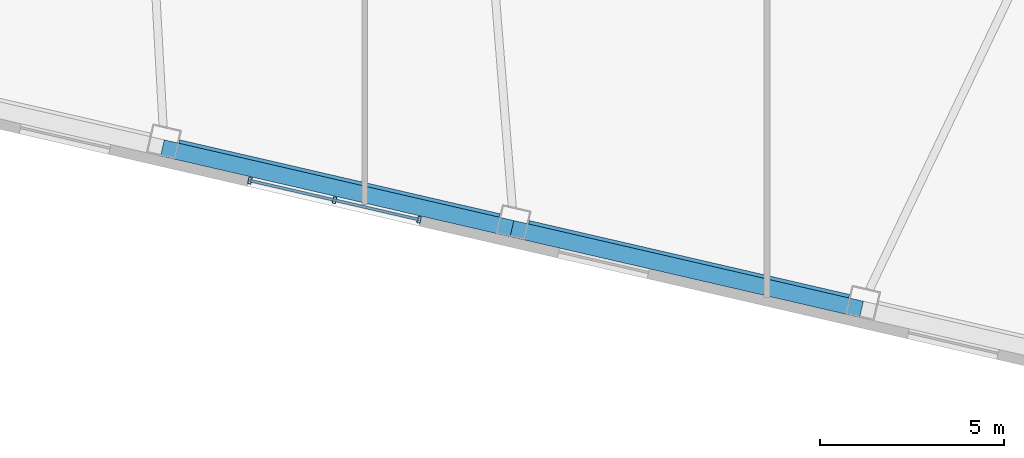
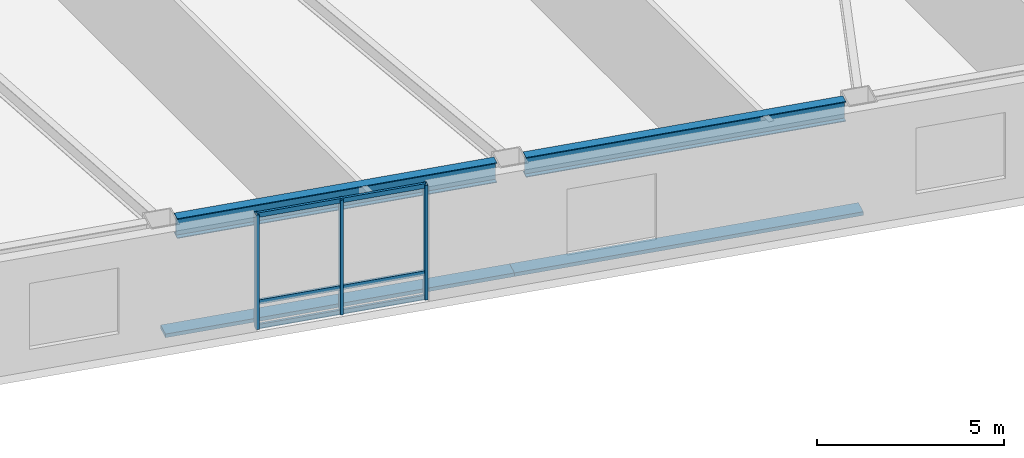
# One storey, part 3 of 18: 8 members, 2 beams, 1 element without a shape of its own.
"""IFC4 building model written with IfcOpenShell, lengths in metres."""

from ifc_helpers import new_model, si_unit, direction, frame, origin, origin_2d, place, context, subcontext, project, spatial, rectangle, hollow_rectangle, i_section, extrude, material, layer, layer_set, material_profile, profile_set, type_object, element, aggregate, save


model = new_model("IFC4")

# Units and contexts
model_context = context("Model", 3, precision=1e-05, world=origin(), true_north=direction((0.0, 1.0)))
body_context = subcontext(model_context, "Body", "Model", "MODEL_VIEW")
ifc_project = project(units=[si_unit("LENGTHUNIT", "METRE"), si_unit("AREAUNIT", "SQUARE_METRE"), si_unit("VOLUMEUNIT", "CUBIC_METRE"), si_unit("PLANEANGLEUNIT", "RADIAN"), si_unit("MASSUNIT", "GRAM", prefix="KILO")], contexts=[model_context])

# Site, building, storey
site_placement = place(None, origin())
site = spatial("IfcSite", under=ifc_project, at=site_placement, CompositionType="ELEMENT")
building_placement = place(site_placement, origin())
building = spatial("IfcBuilding", under=site, at=building_placement, Name="Tavrogorsk Clinical Tower", CompositionType="ELEMENT")
storey_placement = place(building_placement, frame((0.0, 0.0, 47.39990234375)))
storey = spatial("IfcBuildingStorey", under=building, at=storey_placement, Name="L09", CompositionType="ELEMENT", Elevation=47.39990234375)

# Members
ifc_material_1 = material(Name="Anodised aluminium alloy AW-6063", Category="aluminium")
ifc_material_profile_1 = material_profile(ifc_material_1, rectangle(XDim=0.449951171875, YDim=0.1201171875, at=origin_2d()), Name="ALU-SUNSHADE-450x120")
ifc_profile_set_1 = profile_set([ifc_material_profile_1], Name="Anodised aluminium alloy AW-6063")
member_type_1 = type_object("IfcMemberType", Name="ChicagoSunshade_450x120", PredefinedType="USERDEFINED", material=ifc_profile_set_1)
member_1_placement = place(storey_placement, frame((-3.296875, -27.353271484375, 0.18017578125), z_axis=(0.97437219846, -0.224941812182, 0.0), x_axis=(0.224941812182, 0.97437219846, 0.0)))
element("IfcMember", 1, at=member_1_placement, inside=storey, type_object=member_type_1, Name="L09 South Aluminium Sunshade S5", ObjectType="SUNSHADE", PredefinedType="USERDEFINED", context=body_context, shape_type="SweptSolid", body=[
    extrude(rectangle(XDim=0.449951171875, YDim=0.1201171875, at=origin_2d()), origin(), (0.0, 0.0, 1.0), 9.74853515625),
])
member_2_placement = place(storey_placement, frame((6.201904296875, -29.546142578125, 0.18017578125), z_axis=(0.974370931236, -0.2249473013, 0.0), x_axis=(0.2249473013, 0.974370931236, 0.0)))
element("IfcMember", 2, at=member_2_placement, inside=storey, type_object=member_type_1, Name="L09 South Aluminium Sunshade S6", ObjectType="SUNSHADE", PredefinedType="USERDEFINED", context=body_context, shape_type="SweptSolid", body=[
    extrude(rectangle(XDim=0.449951171875, YDim=0.1201171875, at=origin_2d()), origin(), (0.0, 0.0, 1.0), 9.748291015625),
])

# Curtain wall, members
ifc_material_2 = material(Name="Anodised aluminium and triple IGU glazing", Category="aluminium")
ifc_layer = layer(ifc_material_2, 0.179931640625)
ifc_layer_set = layer_set([ifc_layer], Name="Anodised aluminium and triple IGU glazing")
curtain_wall_type = type_object("IfcCurtainWallType", Name="CW3_SouthSlot", PredefinedType="NOTDEFINED", material=ifc_layer_set)
curtain_wall_placement = place(storey_placement, origin())
curtain_wall = element("IfcCurtainWall", 3, at=curtain_wall_placement, inside=storey, type_object=curtain_wall_type, Name="L09 Curtain Wall CW-L09-S-SLOT-2", PredefinedType="NOTDEFINED")
ifc_material_3 = material(Name="Anodised aluminium alloy AW-6060", Category="aluminium")
ifc_material_profile_2 = material_profile(ifc_material_3, hollow_rectangle(XDim=0.090087890625, YDim=0.179931640625, WallThickness=0.00634765625, at=origin_2d()), Name="RHS-180x90x6.3")
ifc_profile_set_2 = profile_set([ifc_material_profile_2], Name="Anodised aluminium alloy AW-6060")
member_type_2 = type_object("IfcMemberType", Name="CwMullion_180x90", PredefinedType="MULLION", material=ifc_profile_set_2)
member_3_placement = place(storey_placement, frame((-0.92041015625, -28.240478515625, 0.0), z_axis=(0.0, 0.0, 1.0), x_axis=(0.974370102963, -0.224950888978, 0.0)))
member_3 = element("IfcMember", 4, at=member_3_placement, type_object=member_type_2, Name="CW-L09-S-SLOT-2 Mullion 1", PredefinedType="MULLION", context=body_context, shape_type="SweptSolid", body=[
    extrude(hollow_rectangle(XDim=0.090087890625, YDim=0.179931640625, WallThickness=0.00634765625, at=origin_2d()), origin(), (0.0, 0.0, 1.0), 3.739990234375),
])
member_4_placement = place(storey_placement, frame((1.378173828125, -28.771240234375, 0.0), z_axis=(0.0, 0.0, 1.0), x_axis=(0.974370102963, -0.224950888978, 0.0)))
member_4 = element("IfcMember", 5, at=member_4_placement, type_object=member_type_2, Name="CW-L09-S-SLOT-2 Mullion 2", PredefinedType="MULLION", context=body_context, shape_type="SweptSolid", body=[
    extrude(hollow_rectangle(XDim=0.090087890625, YDim=0.179931640625, WallThickness=0.00634765625, at=origin_2d()), origin(), (0.0, 0.0, 1.0), 3.739990234375),
])
member_5_placement = place(storey_placement, frame((3.6767578125, -29.3017578125, 0.0), z_axis=(0.0, 0.0, 1.0), x_axis=(0.974370102963, -0.224950888978, 0.0)))
member_5 = element("IfcMember", 6, at=member_5_placement, type_object=member_type_2, Name="CW-L09-S-SLOT-2 Mullion 3", PredefinedType="MULLION", context=body_context, shape_type="SweptSolid", body=[
    extrude(hollow_rectangle(XDim=0.090087890625, YDim=0.179931640625, WallThickness=0.00634765625, at=origin_2d()), origin(), (0.0, 0.0, 1.0), 3.739990234375),
])
ifc_material_4 = material(Name="Anodised aluminium alloy AW-6060", Category="aluminium")
ifc_material_profile_3 = material_profile(ifc_material_4, hollow_rectangle(XDim=0.074951171875, YDim=0.14990234375, WallThickness=0.0048828125, at=origin_2d()), Name="RHS-150x75x5")
ifc_profile_set_3 = profile_set([ifc_material_profile_3], Name="Anodised aluminium alloy AW-6060")
member_type_3 = type_object("IfcMemberType", Name="CwTransom_150x75", PredefinedType="USERDEFINED", material=ifc_profile_set_3)
member_6_placement = place(storey_placement, frame((-0.92041015625, -28.240478515625, 0.050048828125), z_axis=(0.974372877948, -0.22493886885, 0.0), x_axis=(0.22493886885, 0.974372877948, 0.0)))
member_6 = element("IfcMember", 7, at=member_6_placement, type_object=member_type_3, Name="CW-L09-S-SLOT-2 Transom 1", ObjectType="TRANSOM", PredefinedType="USERDEFINED", context=body_context, shape_type="SweptSolid", body=[
    extrude(hollow_rectangle(XDim=0.074951171875, YDim=0.14990234375, WallThickness=0.0048828125, at=origin_2d()), origin(), (0.0, 0.0, 1.0), 4.718017578125),
])
member_7_placement = place(storey_placement, frame((-0.92041015625, -28.240478515625, 0.85009765625), z_axis=(0.974372877948, -0.22493886885, 0.0), x_axis=(0.22493886885, 0.974372877948, 0.0)))
member_7 = element("IfcMember", 8, at=member_7_placement, type_object=member_type_3, Name="CW-L09-S-SLOT-2 Transom 2", ObjectType="TRANSOM", PredefinedType="USERDEFINED", context=body_context, shape_type="SweptSolid", body=[
    extrude(hollow_rectangle(XDim=0.074951171875, YDim=0.14990234375, WallThickness=0.0048828125, at=origin_2d()), origin(), (0.0, 0.0, 1.0), 4.718017578125),
])
member_8_placement = place(storey_placement, frame((-0.92041015625, -28.240478515625, 3.690185546875), z_axis=(0.974372877948, -0.22493886885, 0.0), x_axis=(0.22493886885, 0.974372877948, 0.0)))
member_8 = element("IfcMember", 9, at=member_8_placement, type_object=member_type_3, Name="CW-L09-S-SLOT-2 Transom 3", ObjectType="TRANSOM", PredefinedType="USERDEFINED", context=body_context, shape_type="SweptSolid", body=[
    extrude(hollow_rectangle(XDim=0.074951171875, YDim=0.14990234375, WallThickness=0.0048828125, at=origin_2d()), origin(), (0.0, 0.0, 1.0), 4.718017578125),
])
aggregate(curtain_wall, [member_3, member_4, member_5, member_6, member_7, member_8])

# Beams
ifc_material_5 = material(Name="Structural steel S390", Category="steel")
ifc_material_profile_4 = material_profile(ifc_material_5, i_section(OverallWidth=0.280029296875, OverallDepth=0.64990234375, WebThickness=0.01611328125, FlangeThickness=0.02490234375, at=origin_2d()), Name="B-650x280x16x25")
ifc_profile_set_4 = profile_set([ifc_material_profile_4], Name="Structural steel S390")
beam_type = type_object("IfcBeamType", Name="SpandrelBeam_B650", PredefinedType="SPANDREL", material=ifc_profile_set_4)
for number, where, z_axis, x_axis, name in (
    (10, (-2.85888671875, -27.26953125, 3.4150390625), (0.974372766602, -0.224939351168, 0.0), (0.224939351168, 0.974372766602, 0.0), "L09 Perimeter Spandrel S5-S6"),
    (11, (6.639892578125, -29.46240234375, 3.4150390625), (0.974366775889, -0.224965299645, 0.0), (0.224965299645, 0.974366775889, 0.0), "L09 Perimeter Spandrel S6-S7"),
):
    element("IfcBeam", number, at=place(storey_placement, frame(where, z_axis=z_axis, x_axis=x_axis)), inside=storey, type_object=beam_type, Name=name, PredefinedType="SPANDREL", context=body_context, shape_type="SweptSolid", body=[
        extrude(i_section(OverallWidth=0.280029296875, OverallDepth=0.64990234375, WebThickness=0.01611328125, FlangeThickness=0.02490234375, at=origin_2d()), origin(), (0.0, 0.0, 1.0), 8.9326171875),
    ])

save(model, "model.ifc")
